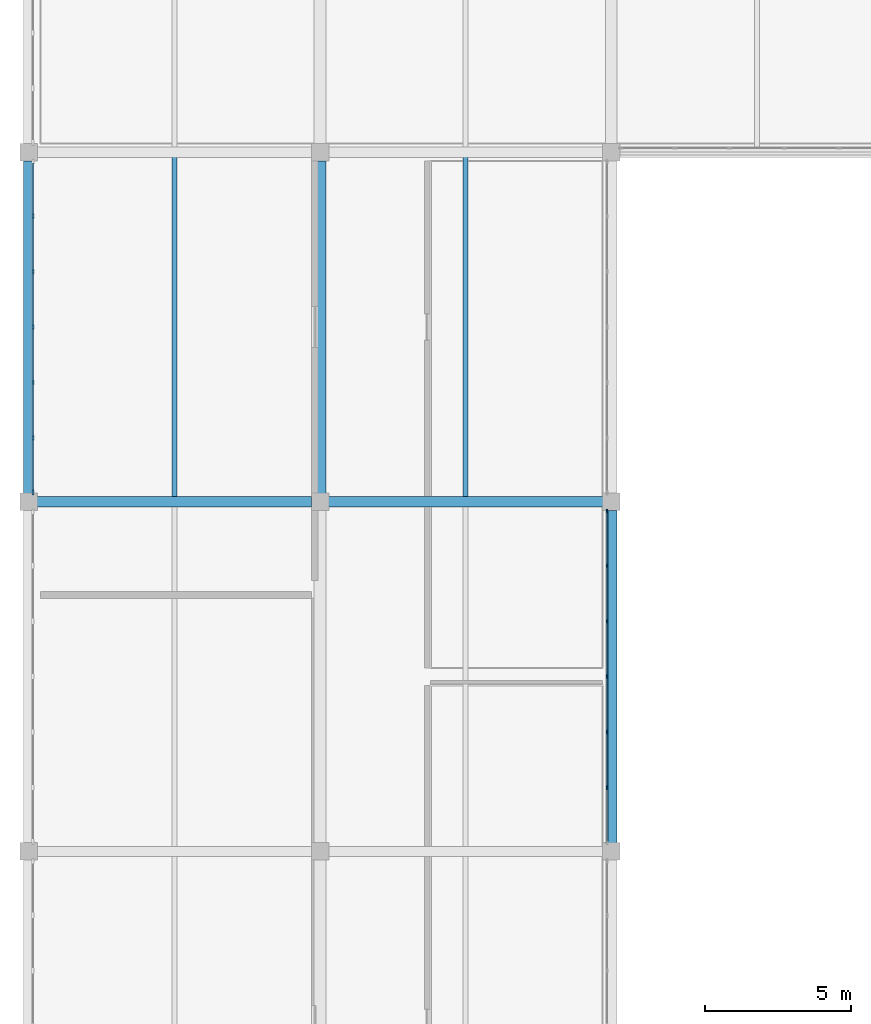
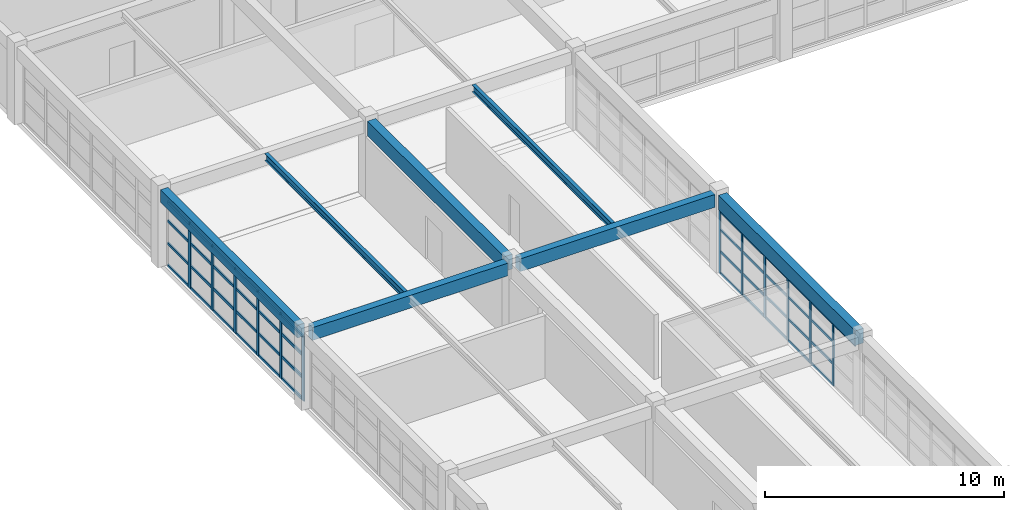
# One storey, part 6 of 28: 57 members, 7 beams, 2 elements without a shape of their own.
"""IFC4 building model written with IfcOpenShell, lengths in metres."""

from ifc_helpers import new_model, si_unit, direction, frame, origin, origin_2d, place, context, subcontext, project, spatial, rectangle, i_section, extrude, material, layer, layer_set, material_profile, profile_set, type_object, element, aggregate, save


model = new_model("IFC4")

# Units and contexts
model_context = context("Model", 3, precision=1e-05, world=origin(), true_north=direction((0.0, 1.0)))
body_context = subcontext(model_context, "Body", "Model", "MODEL_VIEW")
ifc_project = project(units=[si_unit("LENGTHUNIT", "METRE"), si_unit("AREAUNIT", "SQUARE_METRE"), si_unit("VOLUMEUNIT", "CUBIC_METRE"), si_unit("PLANEANGLEUNIT", "RADIAN"), si_unit("MASSUNIT", "GRAM", prefix="KILO")], contexts=[model_context])

# Site, building, storey
site_placement = place(None, origin())
site = spatial("IfcSite", under=ifc_project, at=site_placement, CompositionType="ELEMENT")
building_placement = place(site_placement, origin())
building = spatial("IfcBuilding", under=site, at=building_placement, Name="Kivolera Central Railway Station", CompositionType="ELEMENT")
storey_placement = place(building_placement, frame((0.0, 0.0, 18.60009765625)))
storey = spatial("IfcBuildingStorey", under=building, at=storey_placement, Name="L04", CompositionType="ELEMENT", Elevation=18.60009765625)

# Beams
ifc_material_1 = material(Name="Steel S355", Category="steel")
ifc_material_profile_1 = material_profile(ifc_material_1, i_section(OverallWidth=0.169921875, OverallDepth=0.360107421875, WebThickness=0.008056640625, FlangeThickness=0.0126953125, FilletRadius=0.01806640625, at=origin_2d()), Name="IPE 360")
ifc_profile_set_1 = profile_set([ifc_material_profile_1], Name="Steel S355")
beam_type_1 = type_object("IfcBeamType", Name="BM-JST-IPE360", PredefinedType="JOIST", material=ifc_profile_set_1)
for number, where, z_axis, x_axis, name in (
    (1, (123.0, 102.1669921875, 3.7578125), (0.0, 1.0, 0.0), (-1.0, 0.0, 0.0), "L04 Floor Joist 12-13/J-K"),
    (2, (133.0, 102.1669921875, 3.7578125), (0.0, 1.0, 0.0), (-1.0, 0.0, 0.0), "L04 Floor Joist 13-14/J-K"),
):
    element("IfcBeam", number, at=place(storey_placement, frame(where, z_axis=z_axis, x_axis=x_axis)), inside=storey, type_object=beam_type_1, Name=name, PredefinedType="JOIST", context=body_context, shape_type="SweptSolid", body=[
        extrude(i_section(OverallWidth=0.169921875, OverallDepth=0.360107421875, WebThickness=0.008056640625, FlangeThickness=0.0126953125, FilletRadius=0.01806640625, at=origin_2d()), origin(), (0.0, 0.0, 1.0), 11.666015625),
    ])
ifc_material_2 = material(Name="Concrete C40/50", Category="concrete")
ifc_material_profile_2 = material_profile(ifc_material_2, rectangle(XDim=0.35009765625, YDim=0.64990234375, at=origin_2d()), Name="RC 350x650")
ifc_profile_set_2 = profile_set([ifc_material_profile_2], Name="Concrete C40/50")
beam_type_2 = type_object("IfcBeamType", Name="BM-RC-350x650", PredefinedType="BEAM", material=ifc_profile_set_2)
for number, where, z_axis, x_axis, name in (
    (3, (118.2919921875, 102.0, 3.625), (1.0, 0.0, 0.0), (0.0, 1.0, 0.0), "L04 Wing X-Beam J:12-13"),
    (4, (128.2919921875, 102.0, 3.625), (1.0, 0.0, 0.0), (0.0, 1.0, 0.0), "L04 Wing X-Beam J:13-14"),
):
    element("IfcBeam", number, at=place(storey_placement, frame(where, z_axis=z_axis, x_axis=x_axis)), inside=storey, type_object=beam_type_2, Name=name, PredefinedType="BEAM", context=body_context, shape_type="SweptSolid", body=[
        extrude(rectangle(XDim=0.35009765625, YDim=0.64990234375, at=origin_2d()), origin(), (0.0, 0.0, 1.0), 9.416015625),
    ])
ifc_material_profile_3 = material_profile(ifc_material_2, rectangle(XDim=0.39990234375, YDim=0.75, at=origin_2d()), Name="RC 400x750")
ifc_profile_set_3 = profile_set([ifc_material_profile_3], Name="Concrete C40/50")
beam_type_3 = type_object("IfcBeamType", Name="BM-RC-400x750", PredefinedType="BEAM", material=ifc_profile_set_3)
for number, where, z_axis, x_axis, name in (
    (5, (128.0, 102.2919921875, 3.574951171875), (0.0, 1.0, 0.0), (-1.0, 0.0, 0.0), "L04 Wing Y-Beam 13:J-K"),
    (6, (138.0, 90.2919921875, 3.574951171875), (0.0, 1.0, 0.0), (-1.0, 0.0, 0.0), "L04 Wing Y-Beam 14:H-J"),
):
    element("IfcBeam", number, at=place(storey_placement, frame(where, z_axis=z_axis, x_axis=x_axis)), inside=storey, type_object=beam_type_3, Name=name, PredefinedType="BEAM", context=body_context, shape_type="SweptSolid", body=[
        extrude(rectangle(XDim=0.39990234375, YDim=0.75, at=origin_2d()), origin(), (0.0, 0.0, 1.0), 11.416015625),
    ])
ifc_material_profile_4 = material_profile(ifc_material_2, rectangle(XDim=0.35009765625, YDim=0.64990234375, at=origin_2d()), Name="RC 350x650")
ifc_profile_set_4 = profile_set([ifc_material_profile_4], Name="Concrete C40/50")
beam_type_4 = type_object("IfcBeamType", Name="BM-SPN-RC650", PredefinedType="SPANDREL", material=ifc_profile_set_4)
beam_placement = place(storey_placement, frame((118.0, 102.2919921875, 3.625), z_axis=(0.0, 1.0, 0.0), x_axis=(-1.0, 0.0, 0.0)))
element("IfcBeam", 7, at=beam_placement, inside=storey, type_object=beam_type_4, Name="L04 Wing Y-Beam 12:J-K", PredefinedType="SPANDREL", context=body_context, shape_type="SweptSolid", body=[
    extrude(rectangle(XDim=0.35009765625, YDim=0.64990234375, at=origin_2d()), origin(), (0.0, 0.0, 1.0), 11.416015625),
])

# Curtain wall, members
ifc_material_3 = material(Name="Anodised aluminium", Category="aluminium")
ifc_layer_1 = layer(ifc_material_3, 0.179931640625, Name="Anodised aluminium")
ifc_layer_set_1 = layer_set([ifc_layer_1], Name="Anodised aluminium")
curtain_wall_type_1 = type_object("IfcCurtainWallType", Name="CW-SYS-33", PredefinedType="NOTDEFINED", material=ifc_layer_set_1)
curtain_wall_1_placement = place(storey_placement, origin())
curtain_wall_1 = element("IfcCurtainWall", 8, at=curtain_wall_1_placement, inside=storey, type_object=curtain_wall_type_1, Name="L04 Curtain Wall CW-L04-WEST-J", PredefinedType="NOTDEFINED")
ifc_material_profile_5 = material_profile(ifc_material_3, rectangle(XDim=0.070068359375, YDim=0.179931640625, at=origin_2d()), Name="ALU MULL 70x180")
ifc_profile_set_5 = profile_set([ifc_material_profile_5], Name="Anodised aluminium")
member_type_1 = type_object("IfcMemberType", Name="CWM-MUL-1", PredefinedType="MULLION", material=ifc_profile_set_5)
member_1_placement = place(storey_placement, frame((118.14501953125, 102.330078125, -0.005126953125), z_axis=(0.0, 0.0, 1.0), x_axis=(-1.0, 0.0, 0.0)))
member_1 = element("IfcMember", 9, at=member_1_placement, type_object=member_type_1, Name="CW-33 mullion 1", PredefinedType="MULLION", context=body_context, shape_type="SweptSolid", body=[
    extrude(rectangle(XDim=0.070068359375, YDim=0.179931640625, at=origin_2d()), origin(), (0.0, 0.0, 1.0), 3.29296875),
])
member_2_placement = place(storey_placement, frame((118.14501953125, 104.19677734375, -0.005126953125), z_axis=(0.0, 0.0, 1.0), x_axis=(-1.0, 0.0, 0.0)))
member_2 = element("IfcMember", 10, at=member_2_placement, type_object=member_type_1, Name="CW-33 mullion 2", PredefinedType="MULLION", context=body_context, shape_type="SweptSolid", body=[
    extrude(rectangle(XDim=0.070068359375, YDim=0.179931640625, at=origin_2d()), origin(), (0.0, 0.0, 1.0), 3.29296875),
])
member_3_placement = place(storey_placement, frame((118.14501953125, 106.098388671875, -0.005126953125), z_axis=(0.0, 0.0, 1.0), x_axis=(-1.0, 0.0, 0.0)))
member_3 = element("IfcMember", 11, at=member_3_placement, type_object=member_type_1, Name="CW-33 mullion 3", PredefinedType="MULLION", context=body_context, shape_type="SweptSolid", body=[
    extrude(rectangle(XDim=0.070068359375, YDim=0.179931640625, at=origin_2d()), origin(), (0.0, 0.0, 1.0), 3.29296875),
])
member_4_placement = place(storey_placement, frame((118.14501953125, 108.0, -0.005126953125), z_axis=(0.0, 0.0, 1.0), x_axis=(-1.0, 0.0, 0.0)))
member_4 = element("IfcMember", 12, at=member_4_placement, type_object=member_type_1, Name="CW-33 mullion 4", PredefinedType="MULLION", context=body_context, shape_type="SweptSolid", body=[
    extrude(rectangle(XDim=0.070068359375, YDim=0.179931640625, at=origin_2d()), origin(), (0.0, 0.0, 1.0), 3.29296875),
])
member_5_placement = place(storey_placement, frame((118.14501953125, 109.901611328125, -0.005126953125), z_axis=(0.0, 0.0, 1.0), x_axis=(-1.0, 0.0, 0.0)))
member_5 = element("IfcMember", 13, at=member_5_placement, type_object=member_type_1, Name="CW-33 mullion 5", PredefinedType="MULLION", context=body_context, shape_type="SweptSolid", body=[
    extrude(rectangle(XDim=0.070068359375, YDim=0.179931640625, at=origin_2d()), origin(), (0.0, 0.0, 1.0), 3.29296875),
])
member_6_placement = place(storey_placement, frame((118.14501953125, 111.80322265625, -0.005126953125), z_axis=(0.0, 0.0, 1.0), x_axis=(-1.0, 0.0, 0.0)))
member_6 = element("IfcMember", 14, at=member_6_placement, type_object=member_type_1, Name="CW-33 mullion 6", PredefinedType="MULLION", context=body_context, shape_type="SweptSolid", body=[
    extrude(rectangle(XDim=0.070068359375, YDim=0.179931640625, at=origin_2d()), origin(), (0.0, 0.0, 1.0), 3.29296875),
])

ifc_layer_2 = layer(ifc_material_3, 0.179931640625, Name="Anodised aluminium")
ifc_layer_set_2 = layer_set([ifc_layer_2], Name="Anodised aluminium")
curtain_wall_type_2 = type_object("IfcCurtainWallType", Name="CW-SYS-32", PredefinedType="NOTDEFINED", material=ifc_layer_set_2)
curtain_wall_2_placement = place(storey_placement, origin())
curtain_wall_2 = element("IfcCurtainWall", 15, at=curtain_wall_2_placement, inside=storey, type_object=curtain_wall_type_2, Name="L04 Curtain Wall CW-L04-CRTW-H", PredefinedType="NOTDEFINED")
ifc_material_profile_6 = material_profile(ifc_material_3, rectangle(XDim=0.06005859375, YDim=0.14990234375, at=origin_2d()), Name="ALU MULL 60x150")
ifc_profile_set_6 = profile_set([ifc_material_profile_6], Name="Anodised aluminium")
member_type_2 = type_object("IfcMemberType", Name="CWM-MUL-2", PredefinedType="MULLION", material=ifc_profile_set_6)
member_7_placement = place(storey_placement, frame((137.85498046875, 101.675048828125, -0.005126953125), z_axis=(0.0, 0.0, 1.0), x_axis=(1.0, 0.0, 0.0)))
member_7 = element("IfcMember", 16, at=member_7_placement, type_object=member_type_2, Name="CW-32 mullion 1", PredefinedType="MULLION", context=body_context, shape_type="SweptSolid", body=[
    extrude(rectangle(XDim=0.06005859375, YDim=0.14990234375, at=origin_2d()), origin(), (0.0, 0.0, 1.0), 3.193115234375),
])
member_8_placement = place(storey_placement, frame((137.85498046875, 99.80322265625, -0.005126953125), z_axis=(0.0, 0.0, 1.0), x_axis=(1.0, 0.0, 0.0)))
member_8 = element("IfcMember", 17, at=member_8_placement, type_object=member_type_2, Name="CW-32 mullion 2", PredefinedType="MULLION", context=body_context, shape_type="SweptSolid", body=[
    extrude(rectangle(XDim=0.06005859375, YDim=0.14990234375, at=origin_2d()), origin(), (0.0, 0.0, 1.0), 3.193115234375),
])
member_9_placement = place(storey_placement, frame((137.85498046875, 97.901611328125, -0.005126953125), z_axis=(0.0, 0.0, 1.0), x_axis=(1.0, 0.0, 0.0)))
member_9 = element("IfcMember", 18, at=member_9_placement, type_object=member_type_2, Name="CW-32 mullion 3", PredefinedType="MULLION", context=body_context, shape_type="SweptSolid", body=[
    extrude(rectangle(XDim=0.06005859375, YDim=0.14990234375, at=origin_2d()), origin(), (0.0, 0.0, 1.0), 3.193115234375),
])
member_10_placement = place(storey_placement, frame((137.85498046875, 96.0, -0.005126953125), z_axis=(0.0, 0.0, 1.0), x_axis=(1.0, 0.0, 0.0)))
member_10 = element("IfcMember", 19, at=member_10_placement, type_object=member_type_2, Name="CW-32 mullion 4", PredefinedType="MULLION", context=body_context, shape_type="SweptSolid", body=[
    extrude(rectangle(XDim=0.06005859375, YDim=0.14990234375, at=origin_2d()), origin(), (0.0, 0.0, 1.0), 3.193115234375),
])
member_11_placement = place(storey_placement, frame((137.85498046875, 94.098388671875, -0.005126953125), z_axis=(0.0, 0.0, 1.0), x_axis=(1.0, 0.0, 0.0)))
member_11 = element("IfcMember", 20, at=member_11_placement, type_object=member_type_2, Name="CW-32 mullion 5", PredefinedType="MULLION", context=body_context, shape_type="SweptSolid", body=[
    extrude(rectangle(XDim=0.06005859375, YDim=0.14990234375, at=origin_2d()), origin(), (0.0, 0.0, 1.0), 3.193115234375),
])
member_12_placement = place(storey_placement, frame((137.85498046875, 92.19677734375, -0.005126953125), z_axis=(0.0, 0.0, 1.0), x_axis=(1.0, 0.0, 0.0)))
member_12 = element("IfcMember", 21, at=member_12_placement, type_object=member_type_2, Name="CW-32 mullion 6", PredefinedType="MULLION", context=body_context, shape_type="SweptSolid", body=[
    extrude(rectangle(XDim=0.06005859375, YDim=0.14990234375, at=origin_2d()), origin(), (0.0, 0.0, 1.0), 3.193115234375),
])

# Member
ifc_material_profile_7 = material_profile(ifc_material_3, rectangle(XDim=0.070068359375, YDim=0.139892578125, at=origin_2d()), Name="ALU TRAN 70x140")
ifc_profile_set_7 = profile_set([ifc_material_profile_7], Name="Anodised aluminium")
member_type_3 = type_object("IfcMemberType", Name="CWM-TRN-1", PredefinedType="USERDEFINED", material=ifc_profile_set_7)
member_13_placement = place(storey_placement, frame((118.14501953125, 102.364990234375, 0.034912109375), z_axis=(0.0, 1.0, 0.0), x_axis=(-1.0, 0.0, 0.0)))
member_13 = element("IfcMember", 22, at=member_13_placement, type_object=member_type_3, Name="CW-33 transom 1.1", ObjectType="TRANSOM", PredefinedType="USERDEFINED", context=body_context, shape_type="SweptSolid", body=[
    extrude(rectangle(XDim=0.070068359375, YDim=0.139892578125, at=origin_2d()), origin(), (0.0, 0.0, 1.0), 1.796630859375),
])

member_14_placement = place(storey_placement, frame((118.14501953125, 102.364990234375, 1.150634765625), z_axis=(0.0, 1.0, 0.0), x_axis=(-1.0, 0.0, 0.0)))
member_14 = element("IfcMember", 23, at=member_14_placement, type_object=member_type_3, Name="CW-33 transom 1.2", ObjectType="TRANSOM", PredefinedType="USERDEFINED", context=body_context, shape_type="SweptSolid", body=[
    extrude(rectangle(XDim=0.070068359375, YDim=0.139892578125, at=origin_2d()), origin(), (0.0, 0.0, 1.0), 1.796630859375),
])

member_15_placement = place(storey_placement, frame((118.14501953125, 102.364990234375, 2.301513671875), z_axis=(0.0, 1.0, 0.0), x_axis=(-1.0, 0.0, 0.0)))
member_15 = element("IfcMember", 24, at=member_15_placement, type_object=member_type_3, Name="CW-33 transom 1.3", ObjectType="TRANSOM", PredefinedType="USERDEFINED", context=body_context, shape_type="SweptSolid", body=[
    extrude(rectangle(XDim=0.070068359375, YDim=0.139892578125, at=origin_2d()), origin(), (0.0, 0.0, 1.0), 1.796630859375),
])

member_16_placement = place(storey_placement, frame((118.14501953125, 102.364990234375, 3.2529296875), z_axis=(0.0, 1.0, 0.0), x_axis=(-1.0, 0.0, 0.0)))
member_16 = element("IfcMember", 25, at=member_16_placement, type_object=member_type_3, Name="CW-33 transom 1.4", ObjectType="TRANSOM", PredefinedType="USERDEFINED", context=body_context, shape_type="SweptSolid", body=[
    extrude(rectangle(XDim=0.070068359375, YDim=0.139892578125, at=origin_2d()), origin(), (0.0, 0.0, 1.0), 1.796630859375),
])

member_17_placement = place(storey_placement, frame((118.14501953125, 104.231689453125, 0.034912109375), z_axis=(0.0, 1.0, 0.0), x_axis=(-1.0, 0.0, 0.0)))
member_17 = element("IfcMember", 26, at=member_17_placement, type_object=member_type_3, Name="CW-33 transom 2.1", ObjectType="TRANSOM", PredefinedType="USERDEFINED", context=body_context, shape_type="SweptSolid", body=[
    extrude(rectangle(XDim=0.070068359375, YDim=0.139892578125, at=origin_2d()), origin(), (0.0, 0.0, 1.0), 1.83154296875),
])

member_18_placement = place(storey_placement, frame((118.14501953125, 104.231689453125, 1.150634765625), z_axis=(0.0, 1.0, 0.0), x_axis=(-1.0, 0.0, 0.0)))
member_18 = element("IfcMember", 27, at=member_18_placement, type_object=member_type_3, Name="CW-33 transom 2.2", ObjectType="TRANSOM", PredefinedType="USERDEFINED", context=body_context, shape_type="SweptSolid", body=[
    extrude(rectangle(XDim=0.070068359375, YDim=0.139892578125, at=origin_2d()), origin(), (0.0, 0.0, 1.0), 1.83154296875),
])

member_19_placement = place(storey_placement, frame((118.14501953125, 104.231689453125, 2.301513671875), z_axis=(0.0, 1.0, 0.0), x_axis=(-1.0, 0.0, 0.0)))
member_19 = element("IfcMember", 28, at=member_19_placement, type_object=member_type_3, Name="CW-33 transom 2.3", ObjectType="TRANSOM", PredefinedType="USERDEFINED", context=body_context, shape_type="SweptSolid", body=[
    extrude(rectangle(XDim=0.070068359375, YDim=0.139892578125, at=origin_2d()), origin(), (0.0, 0.0, 1.0), 1.83154296875),
])

member_20_placement = place(storey_placement, frame((118.14501953125, 104.231689453125, 3.2529296875), z_axis=(0.0, 1.0, 0.0), x_axis=(-1.0, 0.0, 0.0)))
member_20 = element("IfcMember", 29, at=member_20_placement, type_object=member_type_3, Name="CW-33 transom 2.4", ObjectType="TRANSOM", PredefinedType="USERDEFINED", context=body_context, shape_type="SweptSolid", body=[
    extrude(rectangle(XDim=0.070068359375, YDim=0.139892578125, at=origin_2d()), origin(), (0.0, 0.0, 1.0), 1.83154296875),
])

member_21_placement = place(storey_placement, frame((118.14501953125, 106.13330078125, 0.034912109375), z_axis=(0.0, 1.0, 0.0), x_axis=(-1.0, 0.0, 0.0)))
member_21 = element("IfcMember", 30, at=member_21_placement, type_object=member_type_3, Name="CW-33 transom 3.1", ObjectType="TRANSOM", PredefinedType="USERDEFINED", context=body_context, shape_type="SweptSolid", body=[
    extrude(rectangle(XDim=0.070068359375, YDim=0.139892578125, at=origin_2d()), origin(), (0.0, 0.0, 1.0), 1.831787109375),
])

member_22_placement = place(storey_placement, frame((118.14501953125, 106.13330078125, 1.150634765625), z_axis=(0.0, 1.0, 0.0), x_axis=(-1.0, 0.0, 0.0)))
member_22 = element("IfcMember", 31, at=member_22_placement, type_object=member_type_3, Name="CW-33 transom 3.2", ObjectType="TRANSOM", PredefinedType="USERDEFINED", context=body_context, shape_type="SweptSolid", body=[
    extrude(rectangle(XDim=0.070068359375, YDim=0.139892578125, at=origin_2d()), origin(), (0.0, 0.0, 1.0), 1.831787109375),
])

member_23_placement = place(storey_placement, frame((118.14501953125, 106.13330078125, 2.301513671875), z_axis=(0.0, 1.0, 0.0), x_axis=(-1.0, 0.0, 0.0)))
member_23 = element("IfcMember", 32, at=member_23_placement, type_object=member_type_3, Name="CW-33 transom 3.3", ObjectType="TRANSOM", PredefinedType="USERDEFINED", context=body_context, shape_type="SweptSolid", body=[
    extrude(rectangle(XDim=0.070068359375, YDim=0.139892578125, at=origin_2d()), origin(), (0.0, 0.0, 1.0), 1.831787109375),
])

member_24_placement = place(storey_placement, frame((118.14501953125, 106.13330078125, 3.2529296875), z_axis=(0.0, 1.0, 0.0), x_axis=(-1.0, 0.0, 0.0)))
member_24 = element("IfcMember", 33, at=member_24_placement, type_object=member_type_3, Name="CW-33 transom 3.4", ObjectType="TRANSOM", PredefinedType="USERDEFINED", context=body_context, shape_type="SweptSolid", body=[
    extrude(rectangle(XDim=0.070068359375, YDim=0.139892578125, at=origin_2d()), origin(), (0.0, 0.0, 1.0), 1.831787109375),
])

member_25_placement = place(storey_placement, frame((118.14501953125, 108.034912109375, 0.034912109375), z_axis=(0.0, 1.0, 0.0), x_axis=(-1.0, 0.0, 0.0)))
member_25 = element("IfcMember", 34, at=member_25_placement, type_object=member_type_3, Name="CW-33 transom 4.1", ObjectType="TRANSOM", PredefinedType="USERDEFINED", context=body_context, shape_type="SweptSolid", body=[
    extrude(rectangle(XDim=0.070068359375, YDim=0.139892578125, at=origin_2d()), origin(), (0.0, 0.0, 1.0), 1.831787109375),
])

member_26_placement = place(storey_placement, frame((118.14501953125, 108.034912109375, 1.150634765625), z_axis=(0.0, 1.0, 0.0), x_axis=(-1.0, 0.0, 0.0)))
member_26 = element("IfcMember", 35, at=member_26_placement, type_object=member_type_3, Name="CW-33 transom 4.2", ObjectType="TRANSOM", PredefinedType="USERDEFINED", context=body_context, shape_type="SweptSolid", body=[
    extrude(rectangle(XDim=0.070068359375, YDim=0.139892578125, at=origin_2d()), origin(), (0.0, 0.0, 1.0), 1.831787109375),
])

member_27_placement = place(storey_placement, frame((118.14501953125, 108.034912109375, 2.301513671875), z_axis=(0.0, 1.0, 0.0), x_axis=(-1.0, 0.0, 0.0)))
member_27 = element("IfcMember", 36, at=member_27_placement, type_object=member_type_3, Name="CW-33 transom 4.3", ObjectType="TRANSOM", PredefinedType="USERDEFINED", context=body_context, shape_type="SweptSolid", body=[
    extrude(rectangle(XDim=0.070068359375, YDim=0.139892578125, at=origin_2d()), origin(), (0.0, 0.0, 1.0), 1.831787109375),
])

member_28_placement = place(storey_placement, frame((118.14501953125, 108.034912109375, 3.2529296875), z_axis=(0.0, 1.0, 0.0), x_axis=(-1.0, 0.0, 0.0)))
member_28 = element("IfcMember", 37, at=member_28_placement, type_object=member_type_3, Name="CW-33 transom 4.4", ObjectType="TRANSOM", PredefinedType="USERDEFINED", context=body_context, shape_type="SweptSolid", body=[
    extrude(rectangle(XDim=0.070068359375, YDim=0.139892578125, at=origin_2d()), origin(), (0.0, 0.0, 1.0), 1.831787109375),
])

member_29_placement = place(storey_placement, frame((118.14501953125, 109.936767578125, 0.034912109375), z_axis=(0.0, 1.0, 0.0), x_axis=(-1.0, 0.0, 0.0)))
member_29 = element("IfcMember", 38, at=member_29_placement, type_object=member_type_3, Name="CW-33 transom 5.1", ObjectType="TRANSOM", PredefinedType="USERDEFINED", context=body_context, shape_type="SweptSolid", body=[
    extrude(rectangle(XDim=0.070068359375, YDim=0.139892578125, at=origin_2d()), origin(), (0.0, 0.0, 1.0), 1.83154296875),
])

member_30_placement = place(storey_placement, frame((118.14501953125, 109.936767578125, 1.150634765625), z_axis=(0.0, 1.0, 0.0), x_axis=(-1.0, 0.0, 0.0)))
member_30 = element("IfcMember", 39, at=member_30_placement, type_object=member_type_3, Name="CW-33 transom 5.2", ObjectType="TRANSOM", PredefinedType="USERDEFINED", context=body_context, shape_type="SweptSolid", body=[
    extrude(rectangle(XDim=0.070068359375, YDim=0.139892578125, at=origin_2d()), origin(), (0.0, 0.0, 1.0), 1.83154296875),
])

member_31_placement = place(storey_placement, frame((118.14501953125, 109.936767578125, 2.301513671875), z_axis=(0.0, 1.0, 0.0), x_axis=(-1.0, 0.0, 0.0)))
member_31 = element("IfcMember", 40, at=member_31_placement, type_object=member_type_3, Name="CW-33 transom 5.3", ObjectType="TRANSOM", PredefinedType="USERDEFINED", context=body_context, shape_type="SweptSolid", body=[
    extrude(rectangle(XDim=0.070068359375, YDim=0.139892578125, at=origin_2d()), origin(), (0.0, 0.0, 1.0), 1.83154296875),
])

member_32_placement = place(storey_placement, frame((118.14501953125, 109.936767578125, 3.2529296875), z_axis=(0.0, 1.0, 0.0), x_axis=(-1.0, 0.0, 0.0)))
member_32 = element("IfcMember", 41, at=member_32_placement, type_object=member_type_3, Name="CW-33 transom 5.4", ObjectType="TRANSOM", PredefinedType="USERDEFINED", context=body_context, shape_type="SweptSolid", body=[
    extrude(rectangle(XDim=0.070068359375, YDim=0.139892578125, at=origin_2d()), origin(), (0.0, 0.0, 1.0), 1.83154296875),
])

member_33_placement = place(storey_placement, frame((118.14501953125, 111.83837890625, 0.034912109375), z_axis=(0.0, 1.0, 0.0), x_axis=(-1.0, 0.0, 0.0)))
member_33 = element("IfcMember", 42, at=member_33_placement, type_object=member_type_3, Name="CW-33 transom 6.1", ObjectType="TRANSOM", PredefinedType="USERDEFINED", context=body_context, shape_type="SweptSolid", body=[
    extrude(rectangle(XDim=0.070068359375, YDim=0.139892578125, at=origin_2d()), origin(), (0.0, 0.0, 1.0), 1.796630859375),
])

member_34_placement = place(storey_placement, frame((118.14501953125, 111.83837890625, 1.150634765625), z_axis=(0.0, 1.0, 0.0), x_axis=(-1.0, 0.0, 0.0)))
member_34 = element("IfcMember", 43, at=member_34_placement, type_object=member_type_3, Name="CW-33 transom 6.2", ObjectType="TRANSOM", PredefinedType="USERDEFINED", context=body_context, shape_type="SweptSolid", body=[
    extrude(rectangle(XDim=0.070068359375, YDim=0.139892578125, at=origin_2d()), origin(), (0.0, 0.0, 1.0), 1.796630859375),
])

member_35_placement = place(storey_placement, frame((118.14501953125, 111.83837890625, 2.301513671875), z_axis=(0.0, 1.0, 0.0), x_axis=(-1.0, 0.0, 0.0)))
member_35 = element("IfcMember", 44, at=member_35_placement, type_object=member_type_3, Name="CW-33 transom 6.3", ObjectType="TRANSOM", PredefinedType="USERDEFINED", context=body_context, shape_type="SweptSolid", body=[
    extrude(rectangle(XDim=0.070068359375, YDim=0.139892578125, at=origin_2d()), origin(), (0.0, 0.0, 1.0), 1.796630859375),
])

member_36_placement = place(storey_placement, frame((118.14501953125, 111.83837890625, 3.2529296875), z_axis=(0.0, 1.0, 0.0), x_axis=(-1.0, 0.0, 0.0)))
member_36 = element("IfcMember", 45, at=member_36_placement, type_object=member_type_3, Name="CW-33 transom 6.4", ObjectType="TRANSOM", PredefinedType="USERDEFINED", context=body_context, shape_type="SweptSolid", body=[
    extrude(rectangle(XDim=0.070068359375, YDim=0.139892578125, at=origin_2d()), origin(), (0.0, 0.0, 1.0), 1.796630859375),
])

aggregate(curtain_wall_1, [member_1, member_2, member_3, member_4, member_5, member_6, member_13, member_14, member_15, member_16, member_17, member_18, member_19, member_20, member_21, member_22, member_23, member_24, member_25, member_26, member_27, member_28, member_29, member_30, member_31, member_32, member_33, member_34, member_35, member_36])

ifc_material_profile_8 = material_profile(ifc_material_3, rectangle(XDim=0.06005859375, YDim=0.1201171875, at=origin_2d()), Name="ALU TRAN 60x120")
ifc_profile_set_8 = profile_set([ifc_material_profile_8], Name="Anodised aluminium")
member_type_4 = type_object("IfcMemberType", Name="CWM-TRN-2", PredefinedType="USERDEFINED", material=ifc_profile_set_8)
member_37_placement = place(storey_placement, frame((137.85498046875, 101.64501953125, 0.02978515625), z_axis=(0.0, -1.0, 0.0), x_axis=(1.0, 0.0, 0.0)))
member_37 = element("IfcMember", 46, at=member_37_placement, type_object=member_type_4, Name="CW-32 transom 1.1", ObjectType="TRANSOM", PredefinedType="USERDEFINED", context=body_context, shape_type="SweptSolid", body=[
    extrude(rectangle(XDim=0.06005859375, YDim=0.1201171875, at=origin_2d()), origin(), (0.0, 0.0, 1.0), 1.811767578125),
])

member_38_placement = place(storey_placement, frame((137.85498046875, 101.64501953125, 1.11572265625), z_axis=(0.0, -1.0, 0.0), x_axis=(1.0, 0.0, 0.0)))
member_38 = element("IfcMember", 47, at=member_38_placement, type_object=member_type_4, Name="CW-32 transom 1.2", ObjectType="TRANSOM", PredefinedType="USERDEFINED", context=body_context, shape_type="SweptSolid", body=[
    extrude(rectangle(XDim=0.06005859375, YDim=0.1201171875, at=origin_2d()), origin(), (0.0, 0.0, 1.0), 1.811767578125),
])

member_39_placement = place(storey_placement, frame((137.85498046875, 101.64501953125, 2.2314453125), z_axis=(0.0, -1.0, 0.0), x_axis=(1.0, 0.0, 0.0)))
member_39 = element("IfcMember", 48, at=member_39_placement, type_object=member_type_4, Name="CW-32 transom 1.3", ObjectType="TRANSOM", PredefinedType="USERDEFINED", context=body_context, shape_type="SweptSolid", body=[
    extrude(rectangle(XDim=0.06005859375, YDim=0.1201171875, at=origin_2d()), origin(), (0.0, 0.0, 1.0), 1.811767578125),
])

member_40_placement = place(storey_placement, frame((137.85498046875, 101.64501953125, 3.157958984375), z_axis=(0.0, -1.0, 0.0), x_axis=(1.0, 0.0, 0.0)))
member_40 = element("IfcMember", 49, at=member_40_placement, type_object=member_type_4, Name="CW-32 transom 1.4", ObjectType="TRANSOM", PredefinedType="USERDEFINED", context=body_context, shape_type="SweptSolid", body=[
    extrude(rectangle(XDim=0.06005859375, YDim=0.1201171875, at=origin_2d()), origin(), (0.0, 0.0, 1.0), 1.811767578125),
])

member_41_placement = place(storey_placement, frame((137.85498046875, 99.7734375, 0.02978515625), z_axis=(0.0, -1.0, 0.0), x_axis=(1.0, 0.0, 0.0)))
member_41 = element("IfcMember", 50, at=member_41_placement, type_object=member_type_4, Name="CW-32 transom 2.1", ObjectType="TRANSOM", PredefinedType="USERDEFINED", context=body_context, shape_type="SweptSolid", body=[
    extrude(rectangle(XDim=0.06005859375, YDim=0.1201171875, at=origin_2d()), origin(), (0.0, 0.0, 1.0), 1.841796875),
])

member_42_placement = place(storey_placement, frame((137.85498046875, 99.7734375, 1.11572265625), z_axis=(0.0, -1.0, 0.0), x_axis=(1.0, 0.0, 0.0)))
member_42 = element("IfcMember", 51, at=member_42_placement, type_object=member_type_4, Name="CW-32 transom 2.2", ObjectType="TRANSOM", PredefinedType="USERDEFINED", context=body_context, shape_type="SweptSolid", body=[
    extrude(rectangle(XDim=0.06005859375, YDim=0.1201171875, at=origin_2d()), origin(), (0.0, 0.0, 1.0), 1.841796875),
])

member_43_placement = place(storey_placement, frame((137.85498046875, 99.7734375, 2.2314453125), z_axis=(0.0, -1.0, 0.0), x_axis=(1.0, 0.0, 0.0)))
member_43 = element("IfcMember", 52, at=member_43_placement, type_object=member_type_4, Name="CW-32 transom 2.3", ObjectType="TRANSOM", PredefinedType="USERDEFINED", context=body_context, shape_type="SweptSolid", body=[
    extrude(rectangle(XDim=0.06005859375, YDim=0.1201171875, at=origin_2d()), origin(), (0.0, 0.0, 1.0), 1.841796875),
])

member_44_placement = place(storey_placement, frame((137.85498046875, 99.7734375, 3.157958984375), z_axis=(0.0, -1.0, 0.0), x_axis=(1.0, 0.0, 0.0)))
member_44 = element("IfcMember", 53, at=member_44_placement, type_object=member_type_4, Name="CW-32 transom 2.4", ObjectType="TRANSOM", PredefinedType="USERDEFINED", context=body_context, shape_type="SweptSolid", body=[
    extrude(rectangle(XDim=0.06005859375, YDim=0.1201171875, at=origin_2d()), origin(), (0.0, 0.0, 1.0), 1.841796875),
])

member_45_placement = place(storey_placement, frame((137.85498046875, 97.87158203125, 0.02978515625), z_axis=(0.0, -1.0, 0.0), x_axis=(1.0, 0.0, 0.0)))
member_45 = element("IfcMember", 54, at=member_45_placement, type_object=member_type_4, Name="CW-32 transom 3.1", ObjectType="TRANSOM", PredefinedType="USERDEFINED", context=body_context, shape_type="SweptSolid", body=[
    extrude(rectangle(XDim=0.06005859375, YDim=0.1201171875, at=origin_2d()), origin(), (0.0, 0.0, 1.0), 1.841552734375),
])

member_46_placement = place(storey_placement, frame((137.85498046875, 97.87158203125, 1.11572265625), z_axis=(0.0, -1.0, 0.0), x_axis=(1.0, 0.0, 0.0)))
member_46 = element("IfcMember", 55, at=member_46_placement, type_object=member_type_4, Name="CW-32 transom 3.2", ObjectType="TRANSOM", PredefinedType="USERDEFINED", context=body_context, shape_type="SweptSolid", body=[
    extrude(rectangle(XDim=0.06005859375, YDim=0.1201171875, at=origin_2d()), origin(), (0.0, 0.0, 1.0), 1.841552734375),
])

member_47_placement = place(storey_placement, frame((137.85498046875, 97.87158203125, 2.2314453125), z_axis=(0.0, -1.0, 0.0), x_axis=(1.0, 0.0, 0.0)))
member_47 = element("IfcMember", 56, at=member_47_placement, type_object=member_type_4, Name="CW-32 transom 3.3", ObjectType="TRANSOM", PredefinedType="USERDEFINED", context=body_context, shape_type="SweptSolid", body=[
    extrude(rectangle(XDim=0.06005859375, YDim=0.1201171875, at=origin_2d()), origin(), (0.0, 0.0, 1.0), 1.841552734375),
])

member_48_placement = place(storey_placement, frame((137.85498046875, 97.87158203125, 3.157958984375), z_axis=(0.0, -1.0, 0.0), x_axis=(1.0, 0.0, 0.0)))
member_48 = element("IfcMember", 57, at=member_48_placement, type_object=member_type_4, Name="CW-32 transom 3.4", ObjectType="TRANSOM", PredefinedType="USERDEFINED", context=body_context, shape_type="SweptSolid", body=[
    extrude(rectangle(XDim=0.06005859375, YDim=0.1201171875, at=origin_2d()), origin(), (0.0, 0.0, 1.0), 1.841552734375),
])

member_49_placement = place(storey_placement, frame((137.85498046875, 95.969970703125, 0.02978515625), z_axis=(0.0, -1.0, 0.0), x_axis=(1.0, 0.0, 0.0)))
member_49 = element("IfcMember", 58, at=member_49_placement, type_object=member_type_4, Name="CW-32 transom 4.1", ObjectType="TRANSOM", PredefinedType="USERDEFINED", context=body_context, shape_type="SweptSolid", body=[
    extrude(rectangle(XDim=0.06005859375, YDim=0.1201171875, at=origin_2d()), origin(), (0.0, 0.0, 1.0), 1.841552734375),
])

member_50_placement = place(storey_placement, frame((137.85498046875, 95.969970703125, 1.11572265625), z_axis=(0.0, -1.0, 0.0), x_axis=(1.0, 0.0, 0.0)))
member_50 = element("IfcMember", 59, at=member_50_placement, type_object=member_type_4, Name="CW-32 transom 4.2", ObjectType="TRANSOM", PredefinedType="USERDEFINED", context=body_context, shape_type="SweptSolid", body=[
    extrude(rectangle(XDim=0.06005859375, YDim=0.1201171875, at=origin_2d()), origin(), (0.0, 0.0, 1.0), 1.841552734375),
])

member_51_placement = place(storey_placement, frame((137.85498046875, 95.969970703125, 2.2314453125), z_axis=(0.0, -1.0, 0.0), x_axis=(1.0, 0.0, 0.0)))
member_51 = element("IfcMember", 60, at=member_51_placement, type_object=member_type_4, Name="CW-32 transom 4.3", ObjectType="TRANSOM", PredefinedType="USERDEFINED", context=body_context, shape_type="SweptSolid", body=[
    extrude(rectangle(XDim=0.06005859375, YDim=0.1201171875, at=origin_2d()), origin(), (0.0, 0.0, 1.0), 1.841552734375),
])

member_52_placement = place(storey_placement, frame((137.85498046875, 95.969970703125, 3.157958984375), z_axis=(0.0, -1.0, 0.0), x_axis=(1.0, 0.0, 0.0)))
member_52 = element("IfcMember", 61, at=member_52_placement, type_object=member_type_4, Name="CW-32 transom 4.4", ObjectType="TRANSOM", PredefinedType="USERDEFINED", context=body_context, shape_type="SweptSolid", body=[
    extrude(rectangle(XDim=0.06005859375, YDim=0.1201171875, at=origin_2d()), origin(), (0.0, 0.0, 1.0), 1.841552734375),
])

member_53_placement = place(storey_placement, frame((137.85498046875, 94.068359375, 0.02978515625), z_axis=(0.0, -1.0, 0.0), x_axis=(1.0, 0.0, 0.0)))
member_53 = element("IfcMember", 62, at=member_53_placement, type_object=member_type_4, Name="CW-32 transom 5.1", ObjectType="TRANSOM", PredefinedType="USERDEFINED", context=body_context, shape_type="SweptSolid", body=[
    extrude(rectangle(XDim=0.06005859375, YDim=0.1201171875, at=origin_2d()), origin(), (0.0, 0.0, 1.0), 1.841796875),
])

member_54_placement = place(storey_placement, frame((137.85498046875, 94.068359375, 1.11572265625), z_axis=(0.0, -1.0, 0.0), x_axis=(1.0, 0.0, 0.0)))
member_54 = element("IfcMember", 63, at=member_54_placement, type_object=member_type_4, Name="CW-32 transom 5.2", ObjectType="TRANSOM", PredefinedType="USERDEFINED", context=body_context, shape_type="SweptSolid", body=[
    extrude(rectangle(XDim=0.06005859375, YDim=0.1201171875, at=origin_2d()), origin(), (0.0, 0.0, 1.0), 1.841796875),
])

member_55_placement = place(storey_placement, frame((137.85498046875, 94.068359375, 2.2314453125), z_axis=(0.0, -1.0, 0.0), x_axis=(1.0, 0.0, 0.0)))
member_55 = element("IfcMember", 64, at=member_55_placement, type_object=member_type_4, Name="CW-32 transom 5.3", ObjectType="TRANSOM", PredefinedType="USERDEFINED", context=body_context, shape_type="SweptSolid", body=[
    extrude(rectangle(XDim=0.06005859375, YDim=0.1201171875, at=origin_2d()), origin(), (0.0, 0.0, 1.0), 1.841796875),
])

member_56_placement = place(storey_placement, frame((137.85498046875, 94.068359375, 3.157958984375), z_axis=(0.0, -1.0, 0.0), x_axis=(1.0, 0.0, 0.0)))
member_56 = element("IfcMember", 65, at=member_56_placement, type_object=member_type_4, Name="CW-32 transom 5.4", ObjectType="TRANSOM", PredefinedType="USERDEFINED", context=body_context, shape_type="SweptSolid", body=[
    extrude(rectangle(XDim=0.06005859375, YDim=0.1201171875, at=origin_2d()), origin(), (0.0, 0.0, 1.0), 1.841796875),
])

member_57_placement = place(storey_placement, frame((137.85498046875, 92.166748046875, 3.157958984375), z_axis=(0.0, -1.0, 0.0), x_axis=(1.0, 0.0, 0.0)))
member_57 = element("IfcMember", 66, at=member_57_placement, type_object=member_type_4, Name="CW-32 transom 6.4", ObjectType="TRANSOM", PredefinedType="USERDEFINED", context=body_context, shape_type="SweptSolid", body=[
    extrude(rectangle(XDim=0.06005859375, YDim=0.1201171875, at=origin_2d()), origin(), (0.0, 0.0, 1.0), 1.811767578125),
])

aggregate(curtain_wall_2, [member_7, member_8, member_9, member_10, member_11, member_12, member_37, member_38, member_39, member_40, member_41, member_42, member_43, member_44, member_45, member_46, member_47, member_48, member_49, member_50, member_51, member_52, member_53, member_54, member_55, member_56, member_57])

save(model, "model.ifc")
